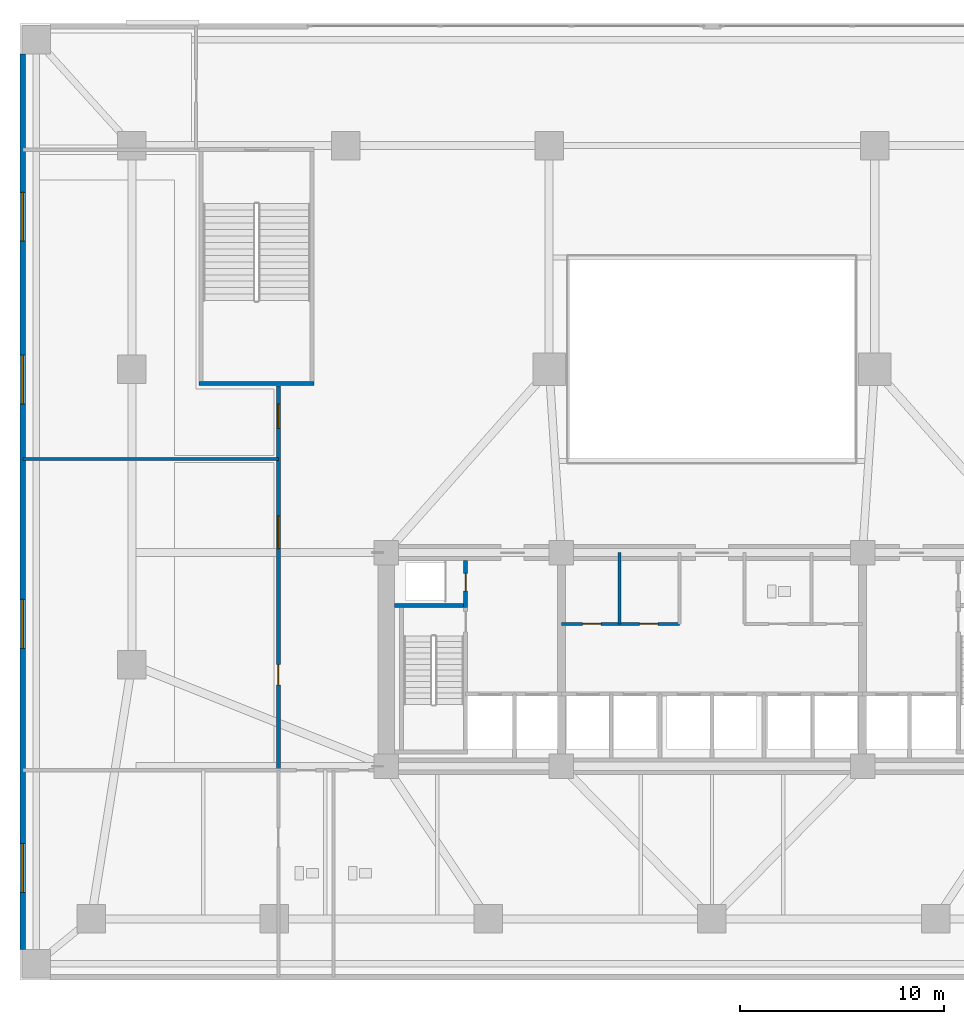
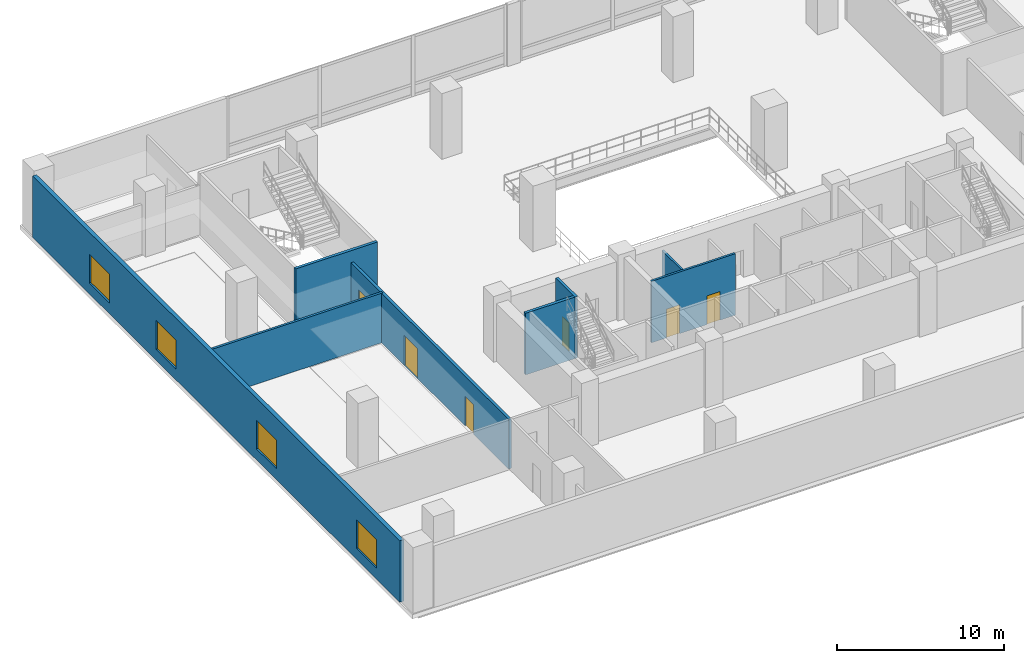
# One storey, part 7 of 15: 8 walls, 6 doors, 4 windows, 10 openings.
"""IFC4 building model written with IfcOpenShell, lengths in metres."""

from ifc_helpers import new_model, si_unit, direction, frame, frame_2d, origin, place, context, subcontext, project, spatial, rectangle, extrude, material, layer, layer_set, type_object, element, fill, save


model = new_model("IFC4")

# Units and contexts
model_context = context("Model", 3, precision=1e-05, world=origin(), true_north=direction((0.0, 1.0)))
body_context = subcontext(model_context, "Body", "Model", "MODEL_VIEW")
ifc_project = project(units=[si_unit("LENGTHUNIT", "METRE"), si_unit("AREAUNIT", "SQUARE_METRE"), si_unit("VOLUMEUNIT", "CUBIC_METRE"), si_unit("PLANEANGLEUNIT", "RADIAN"), si_unit("MASSUNIT", "GRAM", prefix="KILO")], contexts=[model_context])

# Site, building, storey
site_placement = place(None, origin())
site = spatial("IfcSite", under=ifc_project, at=site_placement, CompositionType="ELEMENT")
building_placement = place(site_placement, origin())
building = spatial("IfcBuilding", under=site, at=building_placement, Name="Solmavex Isthmus Hotel", CompositionType="ELEMENT")
storey_placement = place(building_placement, frame((0.0, 0.0, 11.39990234375)))
storey = spatial("IfcBuildingStorey", under=building, at=storey_placement, Name="L03", CompositionType="ELEMENT", Elevation=11.39990234375)

# Wall, openings, windows
ifc_material_1 = material(Name="Precast Concrete C40/50", Category="concrete")
ifc_layer_1 = layer(ifc_material_1, 0.280029296875)
ifc_layer_set_1 = layer_set([ifc_layer_1], Name="Precast Concrete C40/50")
wall_type_1 = type_object("IfcWallType", Name="EW-POD-280", PredefinedType="STANDARD", material=ifc_layer_set_1)
wall_1_placement = place(storey_placement, frame((-33.860107421875, -22.0, 0.0), z_axis=(0.0, 0.0, 1.0), x_axis=(0.0, 1.0, 0.0)))
wall_1 = element("IfcWall", 1, at=wall_1_placement, inside=storey, type_object=wall_type_1, Name="Podium Facade Wall West L03", PredefinedType="STANDARD", context=body_context, shape_type="SweptSolid", body=[
    extrude(rectangle(XDim=44.0, YDim=0.280029296875, at=frame_2d((22.0, 0.0))), origin(), (0.0, 0.0, 1.0), 4.5),
])
opening_1_placement = place(wall_1_placement, frame((2.800048828125, 0.0, 0.800048828125)))
opening_1 = element("IfcOpeningElement", 2, at=opening_1_placement, cuts=wall_1, Name="Opening WN-01", PredefinedType="OPENING", context=body_context, shape_type="SweptSolid", body=[
    extrude(rectangle(XDim=2.39990234375, YDim=2.10009765625, at=frame_2d((1.199951171875, 1.050048828125))), frame((0.0, 0.14990234375, 0.0), z_axis=(0.0, -1.0, 0.0), x_axis=(1.0, 0.0, 0.0)), (0.0, 0.0, 1.0), 0.300048828125),
])
opening_2_placement = place(wall_1_placement, frame((14.800048828125, 0.0, 0.800048828125)))
opening_2 = element("IfcOpeningElement", 3, at=opening_2_placement, cuts=wall_1, Name="Opening WN-01", PredefinedType="OPENING", context=body_context, shape_type="SweptSolid", body=[
    extrude(rectangle(XDim=2.39990234375, YDim=2.10009765625, at=frame_2d((1.199951171875, 1.050048828125))), frame((0.0, 0.14990234375, 0.0), z_axis=(0.0, -1.0, 0.0), x_axis=(1.0, 0.0, 0.0)), (0.0, 0.0, 1.0), 0.300048828125),
])
opening_3_placement = place(wall_1_placement, frame((26.800048828125, 0.0, 0.800048828125)))
opening_3 = element("IfcOpeningElement", 4, at=opening_3_placement, cuts=wall_1, Name="Opening WN-01", PredefinedType="OPENING", context=body_context, shape_type="SweptSolid", body=[
    extrude(rectangle(XDim=2.39990234375, YDim=2.10009765625, at=frame_2d((1.199951171875, 1.050048828125))), frame((0.0, 0.14990234375, 0.0), z_axis=(0.0, -1.0, 0.0), x_axis=(1.0, 0.0, 0.0)), (0.0, 0.0, 1.0), 0.300048828125),
])
opening_4_placement = place(wall_1_placement, frame((34.800048828125, 0.0, 0.800048828125)))
opening_4 = element("IfcOpeningElement", 5, at=opening_4_placement, cuts=wall_1, Name="Opening WN-01", PredefinedType="OPENING", context=body_context, shape_type="SweptSolid", body=[
    extrude(rectangle(XDim=2.39990234375, YDim=2.10009765625, at=frame_2d((1.199951171875, 1.050048828125))), frame((0.0, 0.14990234375, 0.0), z_axis=(0.0, -1.0, 0.0), x_axis=(1.0, 0.0, 0.0)), (0.0, 0.0, 1.0), 0.300048828125),
])
ifc_material_2 = material(Name="Clear low-E laminated glass", Category="glass")
window_type = type_object("IfcWindowType", Name="WIN-POD-2400", PartitioningType="SINGLE_PANEL", PredefinedType="WINDOW", material=ifc_material_2)
window_1_placement = place(opening_1_placement, origin())
window_1 = element("IfcWindow", 6, at=window_1_placement, inside=storey, type_object=window_type, Name="Podium Ballroom Window L03-W1", OverallHeight=2.10009765625, OverallWidth=2.39990234375, PartitioningType="SINGLE_PANEL", PredefinedType="WINDOW", context=body_context, shape_type="SweptSolid", body=[
    extrude(rectangle(XDim=2.39990234375, YDim=2.10009765625, at=frame_2d((1.199951171875, 1.050048828125))), frame((0.0, 0.030029296875, 0.0), z_axis=(0.0, -1.0, 0.0), x_axis=(1.0, 0.0, 0.0)), (0.0, 0.0, 1.0), 0.06005859375),
])
fill(opening_1, window_1)
window_2_placement = place(opening_2_placement, origin())
window_2 = element("IfcWindow", 7, at=window_2_placement, inside=storey, type_object=window_type, Name="Podium Ballroom Window L03-W2", OverallHeight=2.10009765625, OverallWidth=2.39990234375, PartitioningType="SINGLE_PANEL", PredefinedType="WINDOW", context=body_context, shape_type="SweptSolid", body=[
    extrude(rectangle(XDim=2.39990234375, YDim=2.10009765625, at=frame_2d((1.199951171875, 1.050048828125))), frame((0.0, 0.030029296875, 0.0), z_axis=(0.0, -1.0, 0.0), x_axis=(1.0, 0.0, 0.0)), (0.0, 0.0, 1.0), 0.06005859375),
])
fill(opening_2, window_2)
window_3_placement = place(opening_3_placement, origin())
window_3 = element("IfcWindow", 8, at=window_3_placement, inside=storey, type_object=window_type, Name="Podium Ballroom Window L03-W3", OverallHeight=2.10009765625, OverallWidth=2.39990234375, PartitioningType="SINGLE_PANEL", PredefinedType="WINDOW", context=body_context, shape_type="SweptSolid", body=[
    extrude(rectangle(XDim=2.39990234375, YDim=2.10009765625, at=frame_2d((1.199951171875, 1.050048828125))), frame((0.0, 0.030029296875, 0.0), z_axis=(0.0, -1.0, 0.0), x_axis=(1.0, 0.0, 0.0)), (0.0, 0.0, 1.0), 0.06005859375),
])
fill(opening_3, window_3)
window_4_placement = place(opening_4_placement, origin())
window_4 = element("IfcWindow", 9, at=window_4_placement, inside=storey, type_object=window_type, Name="Podium Ballroom Window L03-W4", OverallHeight=2.10009765625, OverallWidth=2.39990234375, PartitioningType="SINGLE_PANEL", PredefinedType="WINDOW", context=body_context, shape_type="SweptSolid", body=[
    extrude(rectangle(XDim=2.39990234375, YDim=2.10009765625, at=frame_2d((1.199951171875, 1.050048828125))), frame((0.0, 0.030029296875, 0.0), z_axis=(0.0, -1.0, 0.0), x_axis=(1.0, 0.0, 0.0)), (0.0, 0.0, 1.0), 0.06005859375),
])
fill(opening_4, window_4)

# Wall
ifc_material_3 = material(Name="Gypsum plasterboard lining", Category="gypsum")
ifc_layer_2 = layer(ifc_material_3, 0.159912109375)
ifc_layer_set_2 = layer_set([ifc_layer_2], Name="Gypsum plasterboard lining")
wall_type_2 = type_object("IfcWallType", Name="IW-COMP-160", PredefinedType="PARTITIONING", material=ifc_layer_set_2)
wall_2_placement = place(storey_placement, frame((-33.860107421875, 2.10009765625, 0.0), z_axis=(0.0, 0.0, 1.0), x_axis=(1.0, 0.0, 0.0)))
element("IfcWall", 10, at=wall_2_placement, inside=storey, type_object=wall_type_2, Name="Interior Partition Wall W-L03-BRK", PredefinedType="PARTITIONING", context=body_context, shape_type="SweptSolid", body=[
    extrude(rectangle(XDim=12.56005859375, YDim=0.159912109375, at=frame_2d((6.280029296875, 0.0))), origin(), (0.0, 0.0, 1.0), 3.629638671875),
])

# Wall, openings, doors
ifc_layer_3 = layer(ifc_material_3, 0.14990234375)
ifc_layer_set_3 = layer_set([ifc_layer_3], Name="Gypsum plasterboard lining")
wall_type_3 = type_object("IfcWallType", Name="IW-CORR-150", PredefinedType="PARTITIONING", material=ifc_layer_set_3)
wall_3_placement = place(storey_placement, frame((-7.39990234375, -6.0, 0.0), z_axis=(0.0, 0.0, 1.0), x_axis=(1.0, 0.0, 0.0)))
wall_3 = element("IfcWall", 11, at=wall_3_placement, inside=storey, type_object=wall_type_3, Name="Interior Partition Wall W-L03-BOH-WS", PredefinedType="PARTITIONING", context=body_context, shape_type="SweptSolid", body=[
    extrude(rectangle(XDim=5.7998046875, YDim=0.14990234375, at=frame_2d((2.89990234375, 0.0))), origin(), (0.0, 0.0, 1.0), 4.5),
])
opening_5_placement = place(wall_3_placement, frame((1.050048828125, 0.0, 0.0)))
opening_5 = element("IfcOpeningElement", 12, at=opening_5_placement, cuts=wall_3, Name="Opening ID-C090", PredefinedType="OPENING", context=body_context, shape_type="SweptSolid", body=[
    extrude(rectangle(XDim=0.89990234375, YDim=2.10009765625, at=frame_2d((0.449951171875, 1.050048828125))), frame((0.0, 0.0849609375, 0.0), z_axis=(0.0, -1.0, 0.0), x_axis=(1.0, 0.0, 0.0)), (0.0, 0.0, 1.0), 0.169921875),
])
opening_6_placement = place(wall_3_placement, frame((3.85009765625, 0.0, 0.0)))
opening_6 = element("IfcOpeningElement", 13, at=opening_6_placement, cuts=wall_3, Name="Opening ID-C090", PredefinedType="OPENING", context=body_context, shape_type="SweptSolid", body=[
    extrude(rectangle(XDim=0.89990234375, YDim=2.10009765625, at=frame_2d((0.449951171875, 1.050048828125))), frame((0.0, 0.0849609375, 0.0), z_axis=(0.0, -1.0, 0.0), x_axis=(1.0, 0.0, 0.0)), (0.0, 0.0, 1.0), 0.169921875),
])
ifc_material_4 = material(Name="Hardwood timber", Category="wood")
door_type_1 = type_object("IfcDoorType", Name="IDR-FD60-0900", OperationType="NOTDEFINED", PredefinedType="DOOR", material=ifc_material_4)
door_1_placement = place(opening_5_placement, frame((0.89990234375, 0.0, 0.0), z_axis=(0.0, 0.0, 1.0), x_axis=(-1.0, 0.0, 0.0)))
door_1 = element("IfcDoor", 14, at=door_1_placement, inside=storey, type_object=door_type_1, Name="Linen Room Door L03", OperationType="SINGLE_SWING_LEFT", OverallHeight=2.10009765625, OverallWidth=0.89990234375, PredefinedType="DOOR", context=body_context, shape_type="SweptSolid", body=[
    extrude(rectangle(XDim=0.89990234375, YDim=2.10009765625, at=frame_2d((0.449951171875, 1.050048828125))), frame((0.0, 0.02490234375, 0.0), z_axis=(0.0, -1.0, 0.0), x_axis=(1.0, 0.0, 0.0)), (0.0, 0.0, 1.0), 0.050048828125),
])
fill(opening_5, door_1)
door_2_placement = place(opening_6_placement, frame((0.89990234375, 0.0, 0.0), z_axis=(0.0, 0.0, 1.0), x_axis=(-1.0, 0.0, 0.0)))
door_2 = element("IfcDoor", 15, at=door_2_placement, inside=storey, type_object=door_type_1, Name="Ice Pantry Door L03", OperationType="SINGLE_SWING_RIGHT", OverallHeight=2.10009765625, OverallWidth=0.89990234375, PredefinedType="DOOR", context=body_context, shape_type="SweptSolid", body=[
    extrude(rectangle(XDim=0.89990234375, YDim=2.10009765625, at=frame_2d((0.449951171875, 1.050048828125))), frame((0.0, 0.02490234375, 0.0), z_axis=(0.0, -1.0, 0.0), x_axis=(1.0, 0.0, 0.0)), (0.0, 0.0, 1.0), 0.050048828125),
])
fill(opening_6, door_2)

# Wall
ifc_layer_4 = layer(ifc_material_3, 0.1201171875)
ifc_layer_set_4 = layer_set([ifc_layer_4], Name="Gypsum plasterboard lining")
wall_type_4 = type_object("IfcWallType", Name="IW-PART-120", PredefinedType="PARTITIONING", material=ifc_layer_set_4)
wall_4_placement = place(storey_placement, frame((-4.550048828125, -6.0, 0.0), z_axis=(0.0, 0.0, 1.0), x_axis=(0.0, 1.0, 0.0)))
element("IfcWall", 16, at=wall_4_placement, inside=storey, type_object=wall_type_4, Name="Interior Partition Wall W-L03-BOH-WM2", PredefinedType="PARTITIONING", context=body_context, shape_type="SweptSolid", body=[
    extrude(rectangle(XDim=3.5, YDim=0.14990234375, at=frame_2d((1.75, 0.0))), origin(), (0.0, 0.0, 1.0), 3.629638671875),
])

# Wall, opening, door
ifc_material_5 = material(Name="Concrete C40/50", Category="concrete")
ifc_layer_5 = layer(ifc_material_5, 0.199951171875)
ifc_layer_set_5 = layer_set([ifc_layer_5], Name="Concrete C40/50")
wall_type_5 = type_object("IfcWallType", Name="IW-SHAFT-200", PredefinedType="PARTITIONING", material=ifc_layer_set_5)
wall_5_placement = place(storey_placement, frame((-12.10009765625, -5.199951171875, 0.0), z_axis=(0.0, 0.0, 1.0), x_axis=(0.0, 1.0, 0.0)))
wall_5 = element("IfcWall", 17, at=wall_5_placement, inside=storey, type_object=wall_type_5, Name="Interior Partition Wall W-L03-RSW-E", PredefinedType="PARTITIONING", context=body_context, shape_type="SweptSolid", body=[
    extrude(rectangle(XDim=2.300048828125, YDim=0.199951171875, at=frame_2d((1.14990234375, 0.0))), origin(), (0.0, 0.0, 1.0), 4.5),
])
opening_7_placement = place(wall_5_placement, frame((0.824951171875, 0.0, 0.0)))
opening_7 = element("IfcOpeningElement", 18, at=opening_7_placement, cuts=wall_5, Name="Opening ID-R085", PredefinedType="OPENING", context=body_context, shape_type="SweptSolid", body=[
    extrude(rectangle(XDim=0.85009765625, YDim=2.050048828125, at=frame_2d((0.425048828125, 1.02490234375))), frame((0.0, 0.10986328125, 0.0), z_axis=(0.0, -1.0, 0.0), x_axis=(1.0, 0.0, 0.0)), (0.0, 0.0, 1.0), 0.219970703125),
])
ifc_material_6 = material(Name="Steel ASTM A500 Grade C", Category="steel")
door_type_2 = type_object("IfcDoorType", Name="IDR-FD60-0850", OperationType="NOTDEFINED", PredefinedType="DOOR", material=ifc_material_6)
door_3_placement = place(opening_7_placement, origin())
door_3 = element("IfcDoor", 19, at=door_3_placement, inside=storey, type_object=door_type_2, Name="Electrical Riser Door L03", OperationType="SINGLE_SWING_RIGHT", OverallHeight=2.050048828125, OverallWidth=0.85009765625, PredefinedType="DOOR", context=body_context, shape_type="SweptSolid", body=[
    extrude(rectangle(XDim=0.85009765625, YDim=2.050048828125, at=frame_2d((0.425048828125, 1.02490234375))), frame((0.0, 0.02490234375, 0.0), z_axis=(0.0, -1.0, 0.0), x_axis=(1.0, 0.0, 0.0)), (0.0, 0.0, 1.0), 0.050048828125),
])
fill(opening_7, door_3)

# Wall, openings, doors
wall_6_placement = place(storey_placement, frame((-21.300048828125, -13.199951171875, 0.0), z_axis=(0.0, 0.0, 1.0), x_axis=(0.0, 1.0, 0.0)))
wall_6 = element("IfcWall", 20, at=wall_6_placement, inside=storey, type_object=wall_type_5, Name="Interior Partition Wall W-L03-WEST-H", PredefinedType="PARTITIONING", context=body_context, shape_type="SweptSolid", body=[
    extrude(rectangle(XDim=18.889892578125, YDim=0.199951171875, at=frame_2d((9.44482421875, 0.0))), origin(), (0.0, 0.0, 1.0), 3.629638671875),
])
opening_8_placement = place(wall_6_placement, frame((16.800048828125, 0.0, 0.0)))
opening_8 = element("IfcOpeningElement", 21, at=opening_8_placement, cuts=wall_6, Name="Opening ID-C120", PredefinedType="OPENING", context=body_context, shape_type="SweptSolid", body=[
    extrude(rectangle(XDim=1.199951171875, YDim=2.199951171875, at=frame_2d((0.60009765625, 1.10009765625))), frame((0.0, 0.10986328125, 0.0), z_axis=(0.0, -1.0, 0.0), x_axis=(1.0, 0.0, 0.0)), (0.0, 0.0, 1.0), 0.219970703125),
])
opening_9_placement = place(wall_6_placement, frame((10.89990234375, 0.0, 0.0)))
opening_9 = element("IfcOpeningElement", 22, at=opening_9_placement, cuts=wall_6, Name="Opening ID-C160", PredefinedType="OPENING", context=body_context, shape_type="SweptSolid", body=[
    extrude(rectangle(XDim=1.60009765625, YDim=2.199951171875, at=frame_2d((0.800048828125, 1.10009765625))), frame((0.0, 0.10986328125, 0.0), z_axis=(0.0, -1.0, 0.0), x_axis=(1.0, 0.0, 0.0)), (0.0, 0.0, 1.0), 0.219970703125),
])
opening_10_placement = place(wall_6_placement, frame((4.199951171875, 0.0, 0.0)))
opening_10 = element("IfcOpeningElement", 23, at=opening_10_placement, cuts=wall_6, Name="Opening ID-C100", PredefinedType="OPENING", context=body_context, shape_type="SweptSolid", body=[
    extrude(rectangle(XDim=1.0, YDim=2.14990234375, at=frame_2d((0.5, 1.074951171875))), frame((0.0, 0.10986328125, 0.0), z_axis=(0.0, -1.0, 0.0), x_axis=(1.0, 0.0, 0.0)), (0.0, 0.0, 1.0), 0.219970703125),
])
door_type_3 = type_object("IfcDoorType", Name="IDR-FD60-1000", OperationType="NOTDEFINED", PredefinedType="DOOR", material=ifc_material_4)
door_4_placement = place(opening_10_placement, frame((1.0, 0.0, 0.0), z_axis=(0.0, 0.0, 1.0), x_axis=(-1.0, 0.0, 0.0)))
door_4 = element("IfcDoor", 24, at=door_4_placement, inside=storey, type_object=door_type_3, Name="West Hall South Door L03", OperationType="SINGLE_SWING_LEFT", OverallHeight=2.14990234375, OverallWidth=1.0, PredefinedType="DOOR", context=body_context, shape_type="SweptSolid", body=[
    extrude(rectangle(XDim=1.0, YDim=2.14990234375, at=frame_2d((0.5, 1.074951171875))), frame((0.0, 0.02490234375, 0.0), z_axis=(0.0, -1.0, 0.0), x_axis=(1.0, 0.0, 0.0)), (0.0, 0.0, 1.0), 0.050048828125),
])
fill(opening_10, door_4)
door_type_4 = type_object("IfcDoorType", Name="IDR-FD60-1200", OperationType="NOTDEFINED", PredefinedType="DOOR", material=ifc_material_4)
door_5_placement = place(opening_8_placement, frame((1.199951171875, 0.0, 0.0), z_axis=(0.0, 0.0, 1.0), x_axis=(-1.0, 0.0, 0.0)))
door_5 = element("IfcDoor", 25, at=door_5_placement, inside=storey, type_object=door_type_4, Name="Breakout Room 2 Entry Door L03", OperationType="SINGLE_SWING_LEFT", OverallHeight=2.199951171875, OverallWidth=1.199951171875, PredefinedType="DOOR", context=body_context, shape_type="SweptSolid", body=[
    extrude(rectangle(XDim=1.199951171875, YDim=2.199951171875, at=frame_2d((0.60009765625, 1.10009765625))), frame((0.0, 0.02490234375, 0.0), z_axis=(0.0, -1.0, 0.0), x_axis=(1.0, 0.0, 0.0)), (0.0, 0.0, 1.0), 0.050048828125),
])
fill(opening_8, door_5)
door_type_5 = type_object("IfcDoorType", Name="IDR-FD60-1600", OperationType="NOTDEFINED", PredefinedType="DOOR", material=ifc_material_4)
door_6_placement = place(opening_9_placement, frame((1.60009765625, 0.0, 0.0), z_axis=(0.0, 0.0, 1.0), x_axis=(-1.0, 0.0, 0.0)))
door_6 = element("IfcDoor", 26, at=door_6_placement, inside=storey, type_object=door_type_5, Name="West Hall Main Door L03", OperationType="DOUBLE_DOOR_SINGLE_SWING", OverallHeight=2.199951171875, OverallWidth=1.60009765625, PredefinedType="DOOR", context=body_context, shape_type="SweptSolid", body=[
    extrude(rectangle(XDim=1.60009765625, YDim=2.199951171875, at=frame_2d((0.800048828125, 1.10009765625))), frame((0.0, 0.02490234375, 0.0), z_axis=(0.0, -1.0, 0.0), x_axis=(1.0, 0.0, 0.0)), (0.0, 0.0, 1.0), 0.050048828125),
])
fill(opening_9, door_6)

# Walls
ifc_layer_6 = layer(ifc_material_5, 0.199951171875)
ifc_layer_set_6 = layer_set([ifc_layer_6], Name="Concrete C40/50")
wall_type_6 = type_object("IfcWallType", Name="WALL-SW-200", PredefinedType="SOLIDWALL", material=ifc_layer_set_6)
wall_7_placement = place(storey_placement, frame((-15.60009765625, -5.10009765625, 0.0), z_axis=(0.0, 0.0, 1.0), x_axis=(1.0, 0.0, 0.0)))
element("IfcWall", 27, at=wall_7_placement, inside=storey, type_object=wall_type_6, Name="Stairwell Structural Wall SW-L03-ST1-N", PredefinedType="SOLIDWALL", context=body_context, shape_type="SweptSolid", body=[
    extrude(rectangle(XDim=3.60009765625, YDim=0.199951171875, at=frame_2d((1.800048828125, 0.0))), origin(), (0.0, 0.0, 1.0), 4.5),
])
wall_8_placement = place(storey_placement, frame((-25.199951171875, 5.800048828125, 0.0), z_axis=(0.0, 0.0, 1.0), x_axis=(1.0, 0.0, 0.0)))
element("IfcWall", 28, at=wall_8_placement, inside=storey, type_object=wall_type_6, Name="Stairwell Structural Wall SW-L03-ST4-S", PredefinedType="SOLIDWALL", context=body_context, shape_type="SweptSolid", body=[
    extrude(rectangle(XDim=5.64990234375, YDim=0.199951171875, at=frame_2d((2.824951171875, 0.0))), origin(), (0.0, 0.0, 1.0), 4.5),
])

save(model, "model.ifc")
